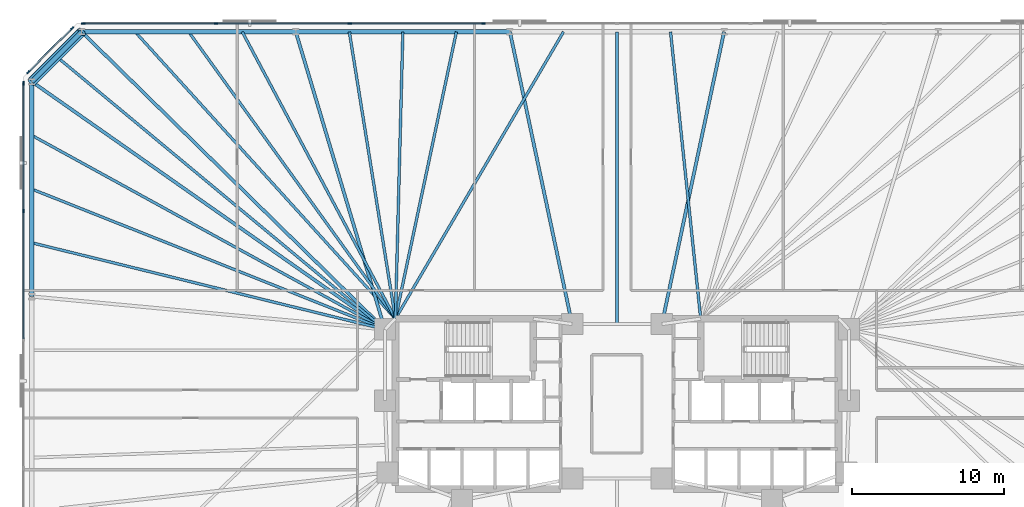
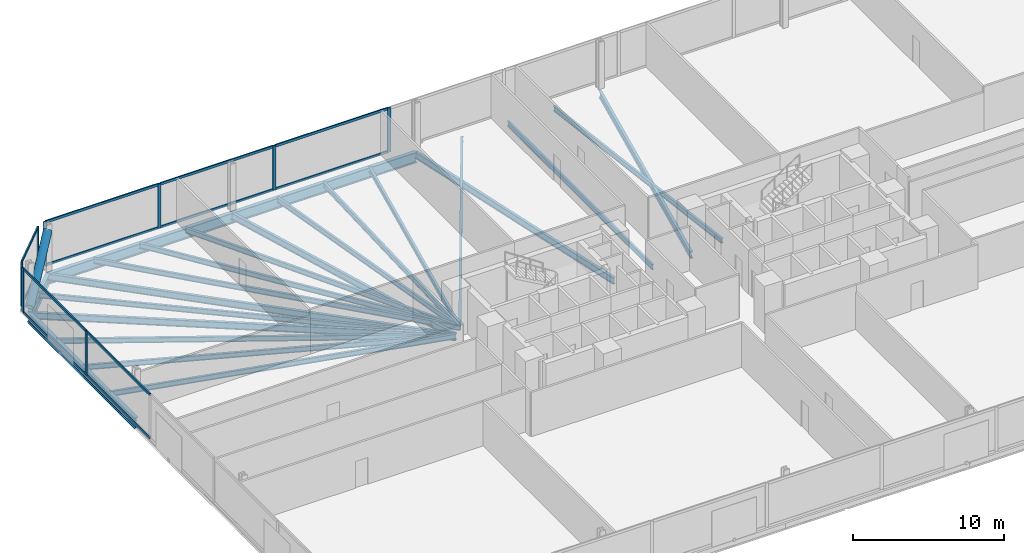
# One storey, part 8 of 17: 22 beams, 21 members, 3 elements without a shape of their own.
"""IFC4 building model written with IfcOpenShell, lengths in metres."""

from ifc_helpers import new_model, si_unit, direction, frame, origin, origin_2d, place, context, subcontext, project, spatial, rectangle, hollow_circle, i_section, extrude, material, material_profile, profile_set, type_object, element, aggregate, save


model = new_model("IFC4")

# Units and contexts
model_context = context("Model", 3, precision=1e-05, world=origin(), true_north=direction((0.0, 1.0)))
body_context = subcontext(model_context, "Body", "Model", "MODEL_VIEW")
ifc_project = project(units=[si_unit("LENGTHUNIT", "METRE"), si_unit("AREAUNIT", "SQUARE_METRE"), si_unit("VOLUMEUNIT", "CUBIC_METRE"), si_unit("PLANEANGLEUNIT", "RADIAN"), si_unit("MASSUNIT", "GRAM", prefix="KILO")], contexts=[model_context])

# Site, building, storey
site_placement = place(None, origin())
site = spatial("IfcSite", under=ifc_project, at=site_placement, CompositionType="ELEMENT")
building_placement = place(site_placement, origin())
building = spatial("IfcBuilding", under=site, at=building_placement, Name="Menara Jurai Vektor", CompositionType="ELEMENT")
storey_placement = place(building_placement, frame((0.0, 0.0, 21.800048828125)))
storey = spatial("IfcBuildingStorey", under=building, at=storey_placement, Name="L04", CompositionType="ELEMENT", Elevation=21.800048828125)

# Curtain wall, members
ifc_material_1 = material(Name="Anodised Pale Aluminium & Low-E Double Glazing", Category="aluminium")
curtain_wall_type = type_object("IfcCurtainWallType", Name="CW-BLK1", PredefinedType="NOTDEFINED", material=ifc_material_1)
curtain_wall_1_placement = place(storey_placement, origin())
curtain_wall_1 = element("IfcCurtainWall", 1, at=curtain_wall_1_placement, inside=storey, type_object=curtain_wall_type, Name="Unitised Curtain Wall L04 F05", PredefinedType="NOTDEFINED")
ifc_material_2 = material(Name="Anodised Pale Aluminium Mullion", Category="aluminium")
ifc_material_profile_1 = material_profile(ifc_material_2, rectangle(XDim=0.094970703125, YDim=0.239990234375, at=origin_2d()), Name="ALU MUL 95x240")
ifc_profile_set_1 = profile_set([ifc_material_profile_1], Name="Anodised Pale Aluminium Mullion")
member_type_1 = type_object("IfcMemberType", Name="CW-BLK1-MUL", PredefinedType="MULLION", material=ifc_profile_set_1)
member_1_placement = place(storey_placement, frame((-8.780029296875, 25.0, 0.0), z_axis=(0.0, 0.0, 1.0), x_axis=(0.0, -1.0, 0.0)))
member_1 = element("IfcMember", 2, at=member_1_placement, type_object=member_type_1, Name="CW-01 mullion 6", PredefinedType="MULLION", context=body_context, shape_type="SweptSolid", body=[
    extrude(rectangle(XDim=0.094970703125, YDim=0.239990234375, at=origin_2d()), origin(), (0.0, 0.0, 1.0), 3.574951171875),
])
member_2_placement = place(storey_placement, frame((-17.56005859375, 25.0, 0.0), z_axis=(0.0, 0.0, 1.0), x_axis=(0.0, -1.0, 0.0)))
member_2 = element("IfcMember", 3, at=member_2_placement, type_object=member_type_1, Name="CW-01 mullion 7", PredefinedType="MULLION", context=body_context, shape_type="SweptSolid", body=[
    extrude(rectangle(XDim=0.094970703125, YDim=0.239990234375, at=origin_2d()), origin(), (0.0, 0.0, 1.0), 3.574951171875),
])
member_3_placement = place(storey_placement, frame((-26.340087890625, 25.0, 0.0), z_axis=(0.0, 0.0, 1.0), x_axis=(0.0, -1.0, 0.0)))
member_3 = element("IfcMember", 4, at=member_3_placement, type_object=member_type_1, Name="CW-01 mullion 8", PredefinedType="MULLION", context=body_context, shape_type="SweptSolid", body=[
    extrude(rectangle(XDim=0.094970703125, YDim=0.239990234375, at=origin_2d()), origin(), (0.0, 0.0, 1.0), 3.574951171875),
])
member_4_placement = place(storey_placement, frame((-35.072509765625, 25.0, 0.0), z_axis=(0.0, 0.0, 1.0), x_axis=(0.0, -1.0, 0.0)))
member_4 = element("IfcMember", 5, at=member_4_placement, type_object=member_type_1, Name="CW-01 mullion 9", PredefinedType="MULLION", context=body_context, shape_type="SweptSolid", body=[
    extrude(rectangle(XDim=0.094970703125, YDim=0.239990234375, at=origin_2d()), origin(), (0.0, 0.0, 1.0), 3.574951171875),
])

curtain_wall_2_placement = place(storey_placement, origin())
curtain_wall_2 = element("IfcCurtainWall", 6, at=curtain_wall_2_placement, inside=storey, type_object=curtain_wall_type, Name="Unitised Curtain Wall L04 F06", PredefinedType="NOTDEFINED")
member_5_placement = place(storey_placement, frame((-35.80224609375, 24.69775390625, 0.0), z_axis=(0.0, 0.0, 1.0), x_axis=(0.707106781187, -0.707106781187, 0.0)))
member_5 = element("IfcMember", 7, at=member_5_placement, type_object=member_type_1, Name="CW-01 mullion 1", PredefinedType="MULLION", context=body_context, shape_type="SweptSolid", body=[
    extrude(rectangle(XDim=0.094970703125, YDim=0.239990234375, at=origin_2d()), origin(), (0.0, 0.0, 1.0), 3.574951171875),
])
member_6_placement = place(storey_placement, frame((-38.69775390625, 21.80224609375, 0.0), z_axis=(0.0, 0.0, 1.0), x_axis=(0.707106781187, -0.707106781187, 0.0)))
member_6 = element("IfcMember", 8, at=member_6_placement, type_object=member_type_1, Name="CW-01 mullion 2", PredefinedType="MULLION", context=body_context, shape_type="SweptSolid", body=[
    extrude(rectangle(XDim=0.094970703125, YDim=0.239990234375, at=origin_2d()), origin(), (0.0, 0.0, 1.0), 3.574951171875),
])

curtain_wall_3_placement = place(storey_placement, origin())
curtain_wall_3 = element("IfcCurtainWall", 9, at=curtain_wall_3_placement, inside=storey, type_object=curtain_wall_type, Name="Unitised Curtain Wall L04 F07", PredefinedType="NOTDEFINED")
member_7_placement = place(storey_placement, frame((-39.0, 21.072509765625, 0.0), z_axis=(0.0, 0.0, 1.0), x_axis=(1.0, 0.0, 0.0)))
member_7 = element("IfcMember", 10, at=member_7_placement, type_object=member_type_1, Name="CW-01 mullion 1", PredefinedType="MULLION", context=body_context, shape_type="SweptSolid", body=[
    extrude(rectangle(XDim=0.094970703125, YDim=0.239990234375, at=origin_2d()), origin(), (0.0, 0.0, 1.0), 3.574951171875),
])
member_8_placement = place(storey_placement, frame((-39.0, 12.672119140625, 0.0), z_axis=(0.0, 0.0, 1.0), x_axis=(1.0, 0.0, 0.0)))
member_8 = element("IfcMember", 11, at=member_8_placement, type_object=member_type_1, Name="CW-01 mullion 2", PredefinedType="MULLION", context=body_context, shape_type="SweptSolid", body=[
    extrude(rectangle(XDim=0.094970703125, YDim=0.239990234375, at=origin_2d()), origin(), (0.0, 0.0, 1.0), 3.574951171875),
])

# Member
ifc_material_3 = material(Name="Anodised Pale Aluminium Transom", Category="aluminium")
ifc_material_profile_2 = material_profile(ifc_material_3, rectangle(XDim=0.094970703125, YDim=0.199951171875, at=origin_2d()), Name="ALU TRN 95x200")
ifc_profile_set_2 = profile_set([ifc_material_profile_2], Name="Anodised Pale Aluminium Transom")
member_type_2 = type_object("IfcMemberType", Name="CW-BLK1-TRN", PredefinedType="USERDEFINED", material=ifc_profile_set_2)
member_9_placement = place(storey_placement, frame((-8.827392578125, 25.0, 0.04736328125), z_axis=(-1.0, 0.0, 0.0), x_axis=(0.0, -1.0, 0.0)))
member_9 = element("IfcMember", 12, at=member_9_placement, type_object=member_type_2, Name="CW-01 transom 6.1", ObjectType="TRANSOM", PredefinedType="USERDEFINED", context=body_context, shape_type="SweptSolid", body=[
    extrude(rectangle(XDim=0.094970703125, YDim=0.199951171875, at=origin_2d()), origin(), (0.0, 0.0, 1.0), 8.68505859375),
])

member_10_placement = place(storey_placement, frame((-8.827392578125, 25.0, 3.52734375), z_axis=(-1.0, 0.0, 0.0), x_axis=(0.0, -1.0, 0.0)))
member_10 = element("IfcMember", 13, at=member_10_placement, type_object=member_type_2, Name="CW-01 transom 6.2", ObjectType="TRANSOM", PredefinedType="USERDEFINED", context=body_context, shape_type="SweptSolid", body=[
    extrude(rectangle(XDim=0.094970703125, YDim=0.199951171875, at=origin_2d()), origin(), (0.0, 0.0, 1.0), 8.68505859375),
])

member_11_placement = place(storey_placement, frame((-17.607421875, 25.0, 0.04736328125), z_axis=(-1.0, 0.0, 0.0), x_axis=(0.0, -1.0, 0.0)))
member_11 = element("IfcMember", 14, at=member_11_placement, type_object=member_type_2, Name="CW-01 transom 7.1", ObjectType="TRANSOM", PredefinedType="USERDEFINED", context=body_context, shape_type="SweptSolid", body=[
    extrude(rectangle(XDim=0.094970703125, YDim=0.199951171875, at=origin_2d()), origin(), (0.0, 0.0, 1.0), 8.68505859375),
])

member_12_placement = place(storey_placement, frame((-17.607421875, 25.0, 3.52734375), z_axis=(-1.0, 0.0, 0.0), x_axis=(0.0, -1.0, 0.0)))
member_12 = element("IfcMember", 15, at=member_12_placement, type_object=member_type_2, Name="CW-01 transom 7.2", ObjectType="TRANSOM", PredefinedType="USERDEFINED", context=body_context, shape_type="SweptSolid", body=[
    extrude(rectangle(XDim=0.094970703125, YDim=0.199951171875, at=origin_2d()), origin(), (0.0, 0.0, 1.0), 8.68505859375),
])

member_13_placement = place(storey_placement, frame((-26.387451171875, 25.0, 0.04736328125), z_axis=(-1.0, 0.0, 0.0), x_axis=(0.0, -1.0, 0.0)))
member_13 = element("IfcMember", 16, at=member_13_placement, type_object=member_type_2, Name="CW-01 transom 8.1", ObjectType="TRANSOM", PredefinedType="USERDEFINED", context=body_context, shape_type="SweptSolid", body=[
    extrude(rectangle(XDim=0.094970703125, YDim=0.199951171875, at=origin_2d()), origin(), (0.0, 0.0, 1.0), 8.637451171875),
])

member_14_placement = place(storey_placement, frame((-26.387451171875, 25.0, 3.52734375), z_axis=(-1.0, 0.0, 0.0), x_axis=(0.0, -1.0, 0.0)))
member_14 = element("IfcMember", 17, at=member_14_placement, type_object=member_type_2, Name="CW-01 transom 8.2", ObjectType="TRANSOM", PredefinedType="USERDEFINED", context=body_context, shape_type="SweptSolid", body=[
    extrude(rectangle(XDim=0.094970703125, YDim=0.199951171875, at=origin_2d()), origin(), (0.0, 0.0, 1.0), 8.637451171875),
])

aggregate(curtain_wall_1, [member_1, member_2, member_3, member_4, member_9, member_10, member_11, member_12, member_13, member_14])

member_15_placement = place(storey_placement, frame((-35.8359375, 24.6640625, 0.04736328125), z_axis=(-0.707106781187, -0.707106781187, 0.0), x_axis=(0.707106781187, -0.707106781187, 0.0)))
member_15 = element("IfcMember", 18, at=member_15_placement, type_object=member_type_2, Name="CW-01 transom 1.1", ObjectType="TRANSOM", PredefinedType="USERDEFINED", context=body_context, shape_type="SweptSolid", body=[
    extrude(rectangle(XDim=0.094970703125, YDim=0.199951171875, at=origin_2d()), origin(), (0.0, 0.0, 1.0), 3.99951171875),
])

member_16_placement = place(storey_placement, frame((-35.8359375, 24.6640625, 3.52734375), z_axis=(-0.707106781187, -0.707106781187, 0.0), x_axis=(0.707106781187, -0.707106781187, 0.0)))
member_16 = element("IfcMember", 19, at=member_16_placement, type_object=member_type_2, Name="CW-01 transom 1.2", ObjectType="TRANSOM", PredefinedType="USERDEFINED", context=body_context, shape_type="SweptSolid", body=[
    extrude(rectangle(XDim=0.094970703125, YDim=0.199951171875, at=origin_2d()), origin(), (0.0, 0.0, 1.0), 3.99951171875),
])

aggregate(curtain_wall_2, [member_5, member_6, member_15, member_16])

member_17_placement = place(storey_placement, frame((-39.0, 21.02490234375, 0.04736328125), z_axis=(0.0, -1.0, 0.0), x_axis=(1.0, 0.0, 0.0)))
member_17 = element("IfcMember", 20, at=member_17_placement, type_object=member_type_2, Name="CW-01 transom 1.1", ObjectType="TRANSOM", PredefinedType="USERDEFINED", context=body_context, shape_type="SweptSolid", body=[
    extrude(rectangle(XDim=0.094970703125, YDim=0.199951171875, at=origin_2d()), origin(), (0.0, 0.0, 1.0), 8.305419921875),
])

member_18_placement = place(storey_placement, frame((-39.0, 21.02490234375, 3.52734375), z_axis=(0.0, -1.0, 0.0), x_axis=(1.0, 0.0, 0.0)))
member_18 = element("IfcMember", 21, at=member_18_placement, type_object=member_type_2, Name="CW-01 transom 1.2", ObjectType="TRANSOM", PredefinedType="USERDEFINED", context=body_context, shape_type="SweptSolid", body=[
    extrude(rectangle(XDim=0.094970703125, YDim=0.199951171875, at=origin_2d()), origin(), (0.0, 0.0, 1.0), 8.305419921875),
])

member_19_placement = place(storey_placement, frame((-39.0, 12.62451171875, 0.04736328125), z_axis=(0.0, -1.0, 0.0), x_axis=(1.0, 0.0, 0.0)))
member_19 = element("IfcMember", 22, at=member_19_placement, type_object=member_type_2, Name="CW-01 transom 2.1", ObjectType="TRANSOM", PredefinedType="USERDEFINED", context=body_context, shape_type="SweptSolid", body=[
    extrude(rectangle(XDim=0.094970703125, YDim=0.199951171875, at=origin_2d()), origin(), (0.0, 0.0, 1.0), 8.35302734375),
])

member_20_placement = place(storey_placement, frame((-39.0, 12.62451171875, 3.52734375), z_axis=(0.0, -1.0, 0.0), x_axis=(1.0, 0.0, 0.0)))
member_20 = element("IfcMember", 23, at=member_20_placement, type_object=member_type_2, Name="CW-01 transom 2.2", ObjectType="TRANSOM", PredefinedType="USERDEFINED", context=body_context, shape_type="SweptSolid", body=[
    extrude(rectangle(XDim=0.094970703125, YDim=0.199951171875, at=origin_2d()), origin(), (0.0, 0.0, 1.0), 8.35302734375),
])

aggregate(curtain_wall_3, [member_7, member_8, member_17, member_18, member_19, member_20])

# Beams
ifc_material_4 = material(Name="Steel S355", Category="steel")
ifc_material_profile_3 = material_profile(ifc_material_4, i_section(OverallWidth=0.2109375, OverallDepth=0.5390625, WebThickness=0.011962890625, FlangeThickness=0.01904296875, FilletRadius=0.012939453125, at=origin_2d()), Name="UKB 533x210x109")
ifc_profile_set_3 = profile_set([ifc_material_profile_3], Name="Steel S355")
beam_type_1 = type_object("IfcBeamType", Name="STR-BM-533", PredefinedType="BEAM", material=ifc_profile_set_3)
for number, where, z_axis, x_axis, name in (
    (24, (7.03564453125, 24.449951171875, -0.49462890625), (-0.2081367579, -0.978099734184, 0.0), (0.978099734184, -0.2081367579, 0.0), "Radial Floor Girder L04-N3"),
    (25, (-7.03564453125, 24.449951171875, -0.49462890625), (0.2081367579, -0.978099734184, 0.0), (0.978099734184, 0.2081367579, 0.0), "Radial Floor Girder L04-N4"),
):
    element("IfcBeam", number, at=place(storey_placement, frame(where, z_axis=z_axis, x_axis=x_axis)), inside=storey, type_object=beam_type_1, Name=name, PredefinedType="BEAM", context=body_context, shape_type="SweptSolid", body=[
        extrude(i_section(OverallWidth=0.2109375, OverallDepth=0.5390625, WebThickness=0.011962890625, FlangeThickness=0.01904296875, FilletRadius=0.012939453125, at=origin_2d()), origin(), (0.0, 0.0, 1.0), 19.6298828125),
    ])
beam_1_placement = place(storey_placement, frame((-21.106689453125, 24.449951171875, -0.49462890625), z_axis=(0.286973617166, -0.957938486047, 0.0), x_axis=(0.957938486047, 0.286973617166, 0.0)))
element("IfcBeam", 26, at=beam_1_placement, inside=storey, type_object=beam_type_1, Name="Radial Floor Girder L04-N5", PredefinedType="BEAM", context=body_context, shape_type="SweptSolid", body=[
    extrude(i_section(OverallWidth=0.2109375, OverallDepth=0.5390625, WebThickness=0.011962890625, FlangeThickness=0.01904296875, FilletRadius=0.012939453125, at=origin_2d()), origin(), (0.0, 0.0, 1.0), 20.408447265625),
])
beam_2_placement = place(storey_placement, frame((-35.177734375, 24.449951171875, -0.49462890625), z_axis=(0.713839032855, -0.700309813706, 0.0), x_axis=(0.700309813706, 0.713839032855, 0.0)))
element("IfcBeam", 27, at=beam_2_placement, inside=storey, type_object=beam_type_1, Name="Radial Floor Girder L04-N6", PredefinedType="BEAM", context=body_context, shape_type="SweptSolid", body=[
    extrude(i_section(OverallWidth=0.2109375, OverallDepth=0.5390625, WebThickness=0.011962890625, FlangeThickness=0.01904296875, FilletRadius=0.012939453125, at=origin_2d()), origin(), (0.0, 0.0, 1.0), 27.916259765625),
])
beam_3_placement = place(storey_placement, frame((-38.449951171875, 21.177734375, -0.49462890625), z_axis=(0.818603732445, -0.574358711283, 0.0), x_axis=(0.574358711283, 0.818603732445, 0.0)))
element("IfcBeam", 28, at=beam_3_placement, inside=storey, type_object=beam_type_1, Name="Radial Floor Girder L04-W1", PredefinedType="BEAM", context=body_context, shape_type="SweptSolid", body=[
    extrude(i_section(OverallWidth=0.2109375, OverallDepth=0.5390625, WebThickness=0.011962890625, FlangeThickness=0.01904296875, FilletRadius=0.012939453125, at=origin_2d()), origin(), (0.0, 0.0, 1.0), 28.3408203125),
])

# Member
ifc_material_5 = material(Name="Steel S460", Category="steel")
ifc_material_profile_4 = material_profile(ifc_material_5, hollow_circle(Radius=0.304931640625, WallThickness=0.02490234375, at=origin_2d()), Name="CHS 610x25")
ifc_profile_set_4 = profile_set([ifc_material_profile_4], Name="Steel S460")
member_type_3 = type_object("IfcMemberType", Name="STR-BR-610", PredefinedType="BRACE", material=ifc_profile_set_4)
member_21_placement = place(storey_placement, frame((-38.449951171875, 21.177734375, 0.14990234375), z_axis=(0.588942422958, 0.588942422958, 0.553438022619), x_axis=(-0.707106781187, 0.707106781187, 0.0)))
element("IfcMember", 29, at=member_21_placement, inside=storey, type_object=member_type_3, Name="Exoskeleton Corner Brace L04-3", PredefinedType="BRACE", context=body_context, shape_type="SweptSolid", body=[
    extrude(hollow_circle(Radius=0.304931640625, WallThickness=0.02490234375, at=origin_2d()), origin(), (0.0, 0.0, 1.0), 5.55615234375),
])

# Beams
ifc_material_profile_5 = material_profile(ifc_material_4, i_section(OverallWidth=0.178955078125, OverallDepth=0.408935546875, WebThickness=0.009033203125, FlangeThickness=0.013916015625, FilletRadius=0.010009765625, at=origin_2d()), Name="UKB 406x178x67")
ifc_profile_set_5 = profile_set([ifc_material_profile_5], Name="Steel S355")
beam_type_2 = type_object("IfcBeamType", Name="STR-JS-406", PredefinedType="JOIST", material=ifc_profile_set_5)
beam_4_placement = place(storey_placement, frame((3.517822265625, 24.449951171875, -0.429443359375), z_axis=(0.104579513969, -0.994516528399, 0.0), x_axis=(0.994516528399, 0.104579513969, 0.0)))
element("IfcBeam", 30, at=beam_4_placement, inside=storey, type_object=beam_type_2, Name="Radial Secondary Floor Joist L04-JS22", PredefinedType="JOIST", context=body_context, shape_type="SweptSolid", body=[
    extrude(i_section(OverallWidth=0.178955078125, OverallDepth=0.408935546875, WebThickness=0.009033203125, FlangeThickness=0.013916015625, FilletRadius=0.010009765625, at=origin_2d()), origin(), (0.0, 0.0, 1.0), 18.953857421875),
])
beam_5_placement = place(storey_placement, frame((0.0, 24.449951171875, -0.429443359375), z_axis=(0.0, -1.0, 0.0), x_axis=(1.0, 0.0, 0.0)))
element("IfcBeam", 31, at=beam_5_placement, inside=storey, type_object=beam_type_2, Name="Radial Secondary Floor Joist L04-JS23", PredefinedType="JOIST", context=body_context, shape_type="SweptSolid", body=[
    extrude(i_section(OverallWidth=0.178955078125, OverallDepth=0.408935546875, WebThickness=0.009033203125, FlangeThickness=0.013916015625, FilletRadius=0.010009765625, at=origin_2d()), origin(), (0.0, 0.0, 1.0), 19.199951171875),
])
beam_6_placement = place(storey_placement, frame((-3.517822265625, 24.449951171875, -0.429443359375), z_axis=(-0.505457909797, -0.862851262631, 0.0), x_axis=(0.862851262631, -0.505457909797, 0.0)))
element("IfcBeam", 32, at=beam_6_placement, inside=storey, type_object=beam_type_2, Name="Radial Secondary Floor Joist L04-JS24", PredefinedType="JOIST", context=body_context, shape_type="SweptSolid", body=[
    extrude(i_section(OverallWidth=0.178955078125, OverallDepth=0.408935546875, WebThickness=0.009033203125, FlangeThickness=0.013916015625, FilletRadius=0.010009765625, at=origin_2d()), origin(), (0.0, 0.0, 1.0), 21.845947265625),
])
beam_7_placement = place(storey_placement, frame((-10.55322265625, 24.449951171875, -0.429443359375), z_axis=(-0.207920423262, -0.978145744555, 0.0), x_axis=(0.978145744555, -0.207920423262, 0.0)))
element("IfcBeam", 33, at=beam_7_placement, inside=storey, type_object=beam_type_2, Name="Radial Secondary Floor Joist L04-JS25", PredefinedType="JOIST", context=body_context, shape_type="SweptSolid", body=[
    extrude(i_section(OverallWidth=0.178955078125, OverallDepth=0.408935546875, WebThickness=0.009033203125, FlangeThickness=0.013916015625, FilletRadius=0.010009765625, at=origin_2d()), origin(), (0.0, 0.0, 1.0), 19.27099609375),
])
beam_8_placement = place(storey_placement, frame((-14.071044921875, 24.449951171875, -0.429443359375), z_axis=(-0.02593384597, -0.999663661255, 0.0), x_axis=(0.999663661255, -0.02593384597, 0.0)))
element("IfcBeam", 34, at=beam_8_placement, inside=storey, type_object=beam_type_2, Name="Radial Secondary Floor Joist L04-JS26", PredefinedType="JOIST", context=body_context, shape_type="SweptSolid", body=[
    extrude(i_section(OverallWidth=0.178955078125, OverallDepth=0.408935546875, WebThickness=0.009033203125, FlangeThickness=0.013916015625, FilletRadius=0.010009765625, at=origin_2d()), origin(), (0.0, 0.0, 1.0), 18.856201171875),
])
beam_9_placement = place(storey_placement, frame((-17.5888671875, 24.449951171875, -0.429443359375), z_axis=(0.158645817656, -0.987335558227, 0.0), x_axis=(0.987335558227, 0.158645817656, 0.0)))
element("IfcBeam", 35, at=beam_9_placement, inside=storey, type_object=beam_type_2, Name="Radial Secondary Floor Joist L04-JS27", PredefinedType="JOIST", context=body_context, shape_type="SweptSolid", body=[
    extrude(i_section(OverallWidth=0.178955078125, OverallDepth=0.408935546875, WebThickness=0.009033203125, FlangeThickness=0.013916015625, FilletRadius=0.010009765625, at=origin_2d()), origin(), (0.0, 0.0, 1.0), 19.091552734375),
])
beam_10_placement = place(storey_placement, frame((-24.62451171875, 24.449951171875, -0.429443359375), z_axis=(0.470996174599, -0.882135252392, 0.0), x_axis=(0.882135252392, 0.470996174599, 0.0)))
element("IfcBeam", 36, at=beam_10_placement, inside=storey, type_object=beam_type_2, Name="Radial Secondary Floor Joist L04-JS28", PredefinedType="JOIST", context=body_context, shape_type="SweptSolid", body=[
    extrude(i_section(OverallWidth=0.178955078125, OverallDepth=0.408935546875, WebThickness=0.009033203125, FlangeThickness=0.013916015625, FilletRadius=0.010009765625, at=origin_2d()), origin(), (0.0, 0.0, 1.0), 21.368408203125),
])
beam_11_placement = place(storey_placement, frame((-28.142333984375, 24.449951171875, -0.429443359375), z_axis=(0.584598948369, -0.811322420229, 0.0), x_axis=(0.811322420229, 0.584598948369, 0.0)))
element("IfcBeam", 37, at=beam_11_placement, inside=storey, type_object=beam_type_2, Name="Radial Secondary Floor Joist L04-JS29", PredefinedType="JOIST", context=body_context, shape_type="SweptSolid", body=[
    extrude(i_section(OverallWidth=0.178955078125, OverallDepth=0.408935546875, WebThickness=0.009033203125, FlangeThickness=0.013916015625, FilletRadius=0.010009765625, at=origin_2d()), origin(), (0.0, 0.0, 1.0), 23.2333984375),
])
beam_12_placement = place(storey_placement, frame((-31.659912109375, 24.449951171875, -0.429443359375), z_axis=(0.671889844346, -0.740651089964, 0.0), x_axis=(0.740651089964, 0.671889844346, 0.0)))
element("IfcBeam", 38, at=beam_12_placement, inside=storey, type_object=beam_type_2, Name="Radial Secondary Floor Joist L04-JS30", PredefinedType="JOIST", context=body_context, shape_type="SweptSolid", body=[
    extrude(i_section(OverallWidth=0.178955078125, OverallDepth=0.408935546875, WebThickness=0.009033203125, FlangeThickness=0.013916015625, FilletRadius=0.010009765625, at=origin_2d()), origin(), (0.0, 0.0, 1.0), 25.450439453125),
])
beam_13_placement = place(storey_placement, frame((-36.81396484375, 22.81396484375, -0.429443359375), z_axis=(0.769201173096, -0.639006694259, 0.0), x_axis=(0.639006694259, 0.769201173096, 0.0)))
element("IfcBeam", 39, at=beam_13_placement, inside=storey, type_object=beam_type_2, Name="Radial Secondary Floor Joist L04-JS31", PredefinedType="JOIST", context=body_context, shape_type="SweptSolid", body=[
    extrude(i_section(OverallWidth=0.178955078125, OverallDepth=0.408935546875, WebThickness=0.009033203125, FlangeThickness=0.013916015625, FilletRadius=0.010009765625, at=origin_2d()), origin(), (0.0, 0.0, 1.0), 28.0341796875),
])
beam_14_placement = place(storey_placement, frame((-38.449951171875, 17.648193359375, -0.429443359375), z_axis=(0.87640219057, -0.481579900291, 0.0), x_axis=(0.481579900291, 0.87640219057, 0.0)))
element("IfcBeam", 40, at=beam_14_placement, inside=storey, type_object=beam_type_2, Name="Radial Secondary Floor Joist L04-JS32", PredefinedType="JOIST", context=body_context, shape_type="SweptSolid", body=[
    extrude(i_section(OverallWidth=0.178955078125, OverallDepth=0.408935546875, WebThickness=0.009033203125, FlangeThickness=0.013916015625, FilletRadius=0.010009765625, at=origin_2d()), origin(), (0.0, 0.0, 1.0), 26.471923828125),
])
beam_15_placement = place(storey_placement, frame((-38.449951171875, 14.118408203125, -0.429443359375), z_axis=(0.929323400723, -0.369266864027, 0.0), x_axis=(0.369266864027, 0.929323400723, 0.0)))
element("IfcBeam", 41, at=beam_15_placement, inside=storey, type_object=beam_type_2, Name="Radial Secondary Floor Joist L04-JS33", PredefinedType="JOIST", context=body_context, shape_type="SweptSolid", body=[
    extrude(i_section(OverallWidth=0.178955078125, OverallDepth=0.408935546875, WebThickness=0.009033203125, FlangeThickness=0.013916015625, FilletRadius=0.010009765625, at=origin_2d()), origin(), (0.0, 0.0, 1.0), 24.96435546875),
])
beam_16_placement = place(storey_placement, frame((-38.449951171875, 10.5888671875, -0.429443359375), z_axis=(0.971226234641, -0.238158772976, 0.0), x_axis=(0.238158772976, 0.971226234641, 0.0)))
element("IfcBeam", 42, at=beam_16_placement, inside=storey, type_object=beam_type_2, Name="Radial Secondary Floor Joist L04-JS34", PredefinedType="JOIST", context=body_context, shape_type="SweptSolid", body=[
    extrude(i_section(OverallWidth=0.178955078125, OverallDepth=0.408935546875, WebThickness=0.009033203125, FlangeThickness=0.013916015625, FilletRadius=0.010009765625, at=origin_2d()), origin(), (0.0, 0.0, 1.0), 23.88720703125),
])
ifc_material_profile_6 = material_profile(ifc_material_5, i_section(OverallWidth=0.2939453125, OverallDepth=0.85107421875, WebThickness=0.01611328125, FlangeThickness=0.027099609375, FilletRadius=0.01806640625, at=origin_2d()), Name="UKB 838x292x226")
ifc_profile_set_6 = profile_set([ifc_material_profile_6], Name="Steel S460")
beam_type_3 = type_object("IfcBeamType", Name="STR-SP-838", PredefinedType="SPANDREL", material=ifc_profile_set_6)
for number, where, z_axis, x_axis, name in (
    (43, (-7.03564453125, 24.449951171875, -0.650634765625), (-1.0, 0.0, 0.0), (0.0, -1.0, 0.0), "Exoskeleton Spandrel Beam L04-14"),
    (44, (-21.106689453125, 24.449951171875, -0.650634765625), (-1.0, 0.0, 0.0), (0.0, -1.0, 0.0), "Exoskeleton Spandrel Beam L04-15"),
):
    element("IfcBeam", number, at=place(storey_placement, frame(where, z_axis=z_axis, x_axis=x_axis)), inside=storey, type_object=beam_type_3, Name=name, PredefinedType="SPANDREL", context=body_context, shape_type="SweptSolid", body=[
        extrude(i_section(OverallWidth=0.2939453125, OverallDepth=0.85107421875, WebThickness=0.01611328125, FlangeThickness=0.027099609375, FilletRadius=0.01806640625, at=origin_2d()), origin(), (0.0, 0.0, 1.0), 14.071044921875),
    ])
beam_17_placement = place(storey_placement, frame((-35.177734375, 24.449951171875, -0.650634765625), z_axis=(-0.707106781187, -0.707106781187, 0.0), x_axis=(0.707106781187, -0.707106781187, 0.0)))
element("IfcBeam", 45, at=beam_17_placement, inside=storey, type_object=beam_type_3, Name="Exoskeleton Spandrel Beam L04-16", PredefinedType="SPANDREL", context=body_context, shape_type="SweptSolid", body=[
    extrude(i_section(OverallWidth=0.2939453125, OverallDepth=0.85107421875, WebThickness=0.01611328125, FlangeThickness=0.027099609375, FilletRadius=0.01806640625, at=origin_2d()), origin(), (0.0, 0.0, 1.0), 4.627685546875),
])
beam_18_placement = place(storey_placement, frame((-38.449951171875, 21.177734375, -0.650634765625), z_axis=(0.0, -1.0, 0.0), x_axis=(1.0, 0.0, 0.0)))
element("IfcBeam", 46, at=beam_18_placement, inside=storey, type_object=beam_type_3, Name="Exoskeleton Spandrel Beam L04-17", PredefinedType="SPANDREL", context=body_context, shape_type="SweptSolid", body=[
    extrude(i_section(OverallWidth=0.2939453125, OverallDepth=0.85107421875, WebThickness=0.01611328125, FlangeThickness=0.027099609375, FilletRadius=0.01806640625, at=origin_2d()), origin(), (0.0, 0.0, 1.0), 14.118408203125),
])

save(model, "model.ifc")
